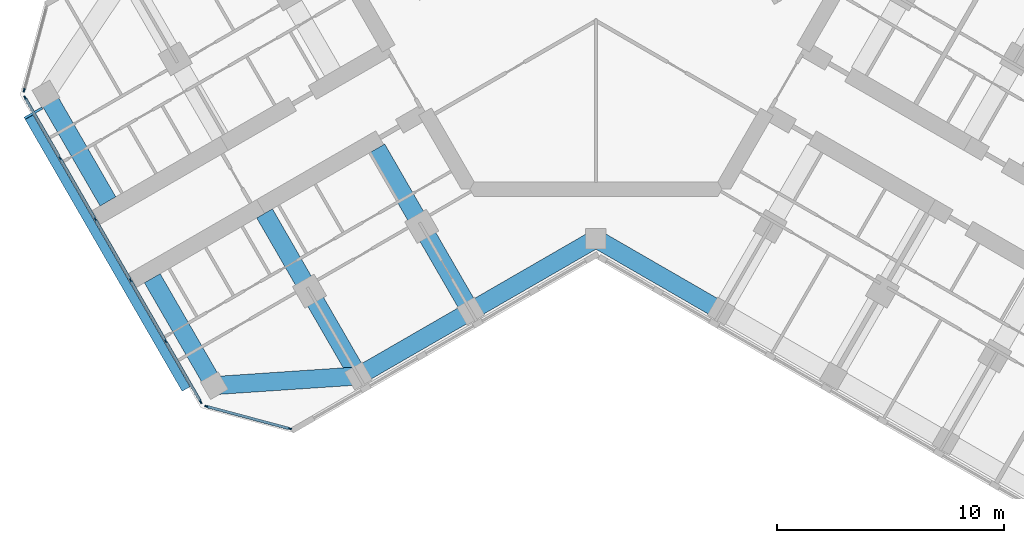
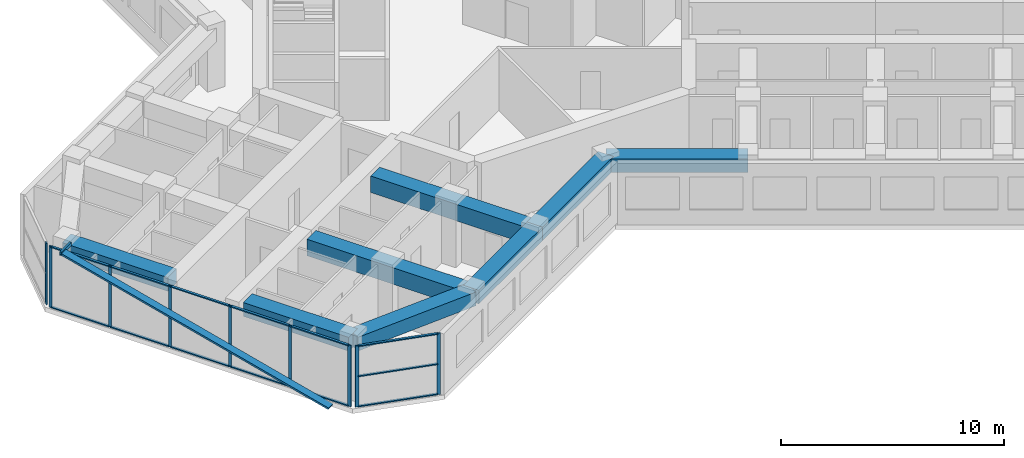
# One storey, part 2 of 16: 24 members, 8 beams, 3 elements without a shape of their own.
"""IFC4 building model written with IfcOpenShell, lengths in metres."""

from ifc_helpers import new_model, si_unit, direction, frame, origin, origin_2d, place, context, subcontext, project, spatial, rectangle, hollow_rectangle, extrude, material, material_profile, profile_set, type_object, element, aggregate, save


model = new_model("IFC4")

# Units and contexts
model_context = context("Model", 3, precision=1e-05, world=origin(), true_north=direction((0.0, 1.0)))
body_context = subcontext(model_context, "Body", "Model", "MODEL_VIEW")
ifc_project = project(units=[si_unit("LENGTHUNIT", "METRE"), si_unit("AREAUNIT", "SQUARE_METRE"), si_unit("VOLUMEUNIT", "CUBIC_METRE"), si_unit("PLANEANGLEUNIT", "RADIAN"), si_unit("MASSUNIT", "GRAM", prefix="KILO")], contexts=[model_context])

# Site, building, storey
site_placement = place(None, origin())
site = spatial("IfcSite", under=ifc_project, at=site_placement, CompositionType="ELEMENT")
building_placement = place(site_placement, origin())
building = spatial("IfcBuilding", under=site, at=building_placement, Name="Kosmar Iwan School Tower", CompositionType="ELEMENT")
storey_placement = place(building_placement, frame((0.0, 0.0, 204.60009765625)))
storey = spatial("IfcBuildingStorey", under=building, at=storey_placement, Name="L51", CompositionType="ELEMENT", Elevation=204.60009765625)

# Members
ifc_material_1 = material(Name="Black anodised aluminium", Category="aluminium")
ifc_material_profile_1 = material_profile(ifc_material_1, rectangle(XDim=0.10009765625, YDim=0.39990234375, at=origin_2d()), Name="FIN 100x400")
ifc_profile_set_1 = profile_set([ifc_material_profile_1], Name="Black anodised aluminium")
member_type_1 = type_object("IfcMemberType", Name="Diagonal fin 100x400", PredefinedType="USERDEFINED", material=ifc_profile_set_1)
member_1_placement = place(storey_placement, frame((-18.0283203125, -18.3740234375, -0.150146484375), z_axis=(-0.483800388566, 0.837965217343, 0.2524905514), x_axis=(0.126245460598, -0.218663124976, 0.96759935999)))
element("IfcMember", 1, at=member_1_placement, inside=storey, type_object=member_type_1, Name="Diagonal fin L51-F11", ObjectType="FIN", PredefinedType="USERDEFINED", context=body_context, shape_type="SweptSolid", body=[
    extrude(rectangle(XDim=0.10009765625, YDim=0.39990234375, at=origin_2d()), origin(), (0.0, 0.0, 1.0), 14.25830078125),
])
ifc_material_2 = material(Name="Steel S355", Category="steel")
ifc_material_profile_2 = material_profile(ifc_material_2, hollow_rectangle(XDim=0.10009765625, YDim=0.199951171875, WallThickness=0.008056640625, at=origin_2d()), Name="RHS 200x100x8")
ifc_profile_set_2 = profile_set([ifc_material_profile_2], Name="Steel S355")
member_type_2 = type_object("IfcMemberType", Name="Fin bracket RHS 200x100", PredefinedType="USERDEFINED", material=ifc_profile_set_2)
member_2_placement = place(storey_placement, frame((-24.34619140625, -6.031005859375, 3.474853515625), z_axis=(-0.865964261186, -0.500105887137, 0.0), x_axis=(0.500105887137, -0.865964261186, 0.0)))
element("IfcMember", 2, at=member_2_placement, inside=storey, type_object=member_type_2, Name="Fin bracket L52", ObjectType="FIN BRACKET", PredefinedType="USERDEFINED", context=body_context, shape_type="SweptSolid", body=[
    extrude(hollow_rectangle(XDim=0.10009765625, YDim=0.199951171875, WallThickness=0.008056640625, at=origin_2d()), origin(), (0.0, 0.0, 1.0), 0.900146484375),
])

# Curtain wall, member
ifc_material_3 = material(Name="Dark glass in black aluminium frame", Category="aluminium")
curtain_wall_type_1 = type_object("IfcCurtainWallType", Name="Chamfer curtain wall dark glass", PredefinedType="USERDEFINED", material=ifc_material_3)
curtain_wall_1_placement = place(storey_placement, origin())
curtain_wall_1 = element("IfcCurtainWall", 3, at=curtain_wall_1_placement, inside=storey, type_object=curtain_wall_type_1, Name="Curtain wall L51-F10", ObjectType="FACETED CURTAIN WALL", PredefinedType="USERDEFINED")
ifc_material_4 = material(Name="Black anodised aluminium", Category="aluminium")
ifc_material_profile_3 = material_profile(ifc_material_4, rectangle(XDim=0.06005859375, YDim=0.159912109375, at=origin_2d()), Name="MULLION 60x160")
ifc_profile_set_3 = profile_set([ifc_material_profile_3], Name="Black anodised aluminium")
member_type_3 = type_object("IfcMemberType", Name="Mullion 60x160", PredefinedType="MULLION", material=ifc_profile_set_3)
member_3_placement = place(storey_placement, frame((-25.141845703125, -5.24853515625, 0.0), z_axis=(0.0, 0.0, 1.0), x_axis=(0.965925875495, -0.258818861462, 0.0)))
member_3 = element("IfcMember", 4, at=member_3_placement, type_object=member_type_3, Name="CW2 mullion 2", PredefinedType="MULLION", context=body_context, shape_type="SweptSolid", body=[
    extrude(rectangle(XDim=0.06005859375, YDim=0.159912109375, at=origin_2d()), origin(), (0.0, 0.0, 1.0), 3.349853515625),
])
aggregate(curtain_wall_1, [member_3])

# Curtain wall, members
ifc_material_5 = material(Name="Dark glass in black aluminium frame", Category="aluminium")
curtain_wall_type_2 = type_object("IfcCurtainWallType", Name="Tower curtain wall dark glass", PredefinedType="USERDEFINED", material=ifc_material_5)
curtain_wall_2_placement = place(storey_placement, origin())
curtain_wall_2 = element("IfcCurtainWall", 5, at=curtain_wall_2_placement, inside=storey, type_object=curtain_wall_type_2, Name="Curtain wall L51-F11", ObjectType="UNITISED CURTAIN WALL", PredefinedType="USERDEFINED")
member_4_placement = place(storey_placement, frame((-25.098388671875, -5.578369140625, 0.0), z_axis=(0.0, 0.0, 1.0), x_axis=(0.866025405329, 0.499999997325, 0.0)))
member_4 = element("IfcMember", 6, at=member_4_placement, type_object=member_type_3, Name="CW1 mullion 1", PredefinedType="MULLION", context=body_context, shape_type="SweptSolid", body=[
    extrude(rectangle(XDim=0.06005859375, YDim=0.159912109375, at=origin_2d()), origin(), (0.0, 0.0, 1.0), 3.349853515625),
])
member_5_placement = place(storey_placement, frame((-23.563720703125, -8.236328125, 0.0), z_axis=(0.0, 0.0, 1.0), x_axis=(0.866025405329, 0.499999997325, 0.0)))
member_5 = element("IfcMember", 7, at=member_5_placement, type_object=member_type_3, Name="CW1 mullion 2", PredefinedType="MULLION", context=body_context, shape_type="SweptSolid", body=[
    extrude(rectangle(XDim=0.06005859375, YDim=0.159912109375, at=origin_2d()), origin(), (0.0, 0.0, 1.0), 3.349853515625),
])
member_6_placement = place(storey_placement, frame((-22.01416015625, -10.92041015625, 0.0), z_axis=(0.0, 0.0, 1.0), x_axis=(0.866025405329, 0.499999997325, 0.0)))
member_6 = element("IfcMember", 8, at=member_6_placement, type_object=member_type_3, Name="CW1 mullion 3", PredefinedType="MULLION", context=body_context, shape_type="SweptSolid", body=[
    extrude(rectangle(XDim=0.06005859375, YDim=0.159912109375, at=origin_2d()), origin(), (0.0, 0.0, 1.0), 3.349853515625),
])
member_7_placement = place(storey_placement, frame((-20.46435546875, -13.6044921875, 0.0), z_axis=(0.0, 0.0, 1.0), x_axis=(0.866025405329, 0.499999997325, 0.0)))
member_7 = element("IfcMember", 9, at=member_7_placement, type_object=member_type_3, Name="CW1 mullion 4", PredefinedType="MULLION", context=body_context, shape_type="SweptSolid", body=[
    extrude(rectangle(XDim=0.06005859375, YDim=0.159912109375, at=origin_2d()), origin(), (0.0, 0.0, 1.0), 3.349853515625),
])
member_8_placement = place(storey_placement, frame((-18.914794921875, -16.28857421875, 0.0), z_axis=(0.0, 0.0, 1.0), x_axis=(0.866025405329, 0.499999997325, 0.0)))
member_8 = element("IfcMember", 10, at=member_8_placement, type_object=member_type_3, Name="CW1 mullion 5", PredefinedType="MULLION", context=body_context, shape_type="SweptSolid", body=[
    extrude(rectangle(XDim=0.06005859375, YDim=0.159912109375, at=origin_2d()), origin(), (0.0, 0.0, 1.0), 3.349853515625),
])
member_9_placement = place(storey_placement, frame((-17.380126953125, -18.94677734375, 0.0), z_axis=(0.0, 0.0, 1.0), x_axis=(0.866025405329, 0.499999997325, 0.0)))
member_9 = element("IfcMember", 11, at=member_9_placement, type_object=member_type_3, Name="CW1 mullion 6", PredefinedType="MULLION", context=body_context, shape_type="SweptSolid", body=[
    extrude(rectangle(XDim=0.06005859375, YDim=0.159912109375, at=origin_2d()), origin(), (0.0, 0.0, 1.0), 3.349853515625),
])

curtain_wall_3_placement = place(storey_placement, origin())
curtain_wall_3 = element("IfcCurtainWall", 12, at=curtain_wall_3_placement, inside=storey, type_object=curtain_wall_type_1, Name="Curtain wall L51-F12", ObjectType="FACETED CURTAIN WALL", PredefinedType="USERDEFINED")
member_10_placement = place(storey_placement, frame((-17.1162109375, -19.149169921875, 0.0), z_axis=(0.0, 0.0, 1.0), x_axis=(0.258818861462, 0.965925875495, 0.0)))
member_10 = element("IfcMember", 13, at=member_10_placement, type_object=member_type_3, Name="CW2 mullion 1", PredefinedType="MULLION", context=body_context, shape_type="SweptSolid", body=[
    extrude(rectangle(XDim=0.06005859375, YDim=0.159912109375, at=origin_2d()), origin(), (0.0, 0.0, 1.0), 3.349853515625),
])
member_11_placement = place(storey_placement, frame((-13.466064453125, -20.127197265625, 0.0), z_axis=(0.0, 0.0, 1.0), x_axis=(0.258818861462, 0.965925875495, 0.0)))
member_11 = element("IfcMember", 14, at=member_11_placement, type_object=member_type_3, Name="CW2 mullion 2", PredefinedType="MULLION", context=body_context, shape_type="SweptSolid", body=[
    extrude(rectangle(XDim=0.06005859375, YDim=0.159912109375, at=origin_2d()), origin(), (0.0, 0.0, 1.0), 3.349853515625),
])

# Beams
ifc_material_6 = material(Name="Concrete C50/60", Category="concrete")
ifc_material_profile_4 = material_profile(ifc_material_6, rectangle(XDim=0.800048828125, YDim=0.75, at=origin_2d()), Name="RC 800x750")
ifc_profile_set_4 = profile_set([ifc_material_profile_4], Name="Concrete C50/60")
beam_type_1 = type_object("IfcBeamType", Name="RC edge beam 800x750", PredefinedType="BEAM", material=ifc_profile_set_4)
beam_1_placement = place(storey_placement, frame((0.0, -11.77783203125, 2.974853515625), z_axis=(-0.866014293216, -0.500019243575, 0.0), x_axis=(0.500019243575, -0.866014293216, 0.0)))
element("IfcBeam", 15, at=beam_1_placement, inside=storey, type_object=beam_type_1, Name="Edge beam BL1", PredefinedType="BEAM", context=body_context, shape_type="SweptSolid", body=[
    extrude(rectangle(XDim=0.800048828125, YDim=0.75, at=origin_2d()), origin(), (0.0, 0.0, 1.0), 6.361083984375),
])
beam_2_placement = place(storey_placement, frame((-5.5087890625, -14.95849609375, 2.974853515625), z_axis=(-0.866033658841, -0.49998570155, 0.0), x_axis=(0.49998570155, -0.866033658841, 0.0)))
element("IfcBeam", 16, at=beam_2_placement, inside=storey, type_object=beam_type_1, Name="Edge beam BL2", PredefinedType="BEAM", context=body_context, shape_type="SweptSolid", body=[
    extrude(rectangle(XDim=0.800048828125, YDim=0.75, at=origin_2d()), origin(), (0.0, 0.0, 1.0), 5.699951171875),
])
beam_3_placement = place(storey_placement, frame((0.0, -11.77783203125, 2.974853515625), z_axis=(0.866014293216, -0.500019243575, 0.0), x_axis=(0.500019243575, 0.866014293216, 0.0)))
element("IfcBeam", 17, at=beam_3_placement, inside=storey, type_object=beam_type_1, Name="Edge beam CR1", PredefinedType="BEAM", context=body_context, shape_type="SweptSolid", body=[
    extrude(rectangle(XDim=0.800048828125, YDim=0.75, at=origin_2d()), origin(), (0.0, 0.0, 1.0), 6.361083984375),
])
ifc_material_7 = material(Name="Concrete C50/60", Category="concrete")
ifc_material_profile_5 = material_profile(ifc_material_7, rectangle(XDim=0.800048828125, YDim=0.75, at=origin_2d()), Name="RC 800x750")
ifc_profile_set_5 = profile_set([ifc_material_profile_5], Name="Concrete C50/60")
beam_type_2 = type_object("IfcBeamType", Name="RC tip beam 800x750", PredefinedType="BEAM", material=ifc_profile_set_5)
beam_4_placement = place(storey_placement, frame((-10.445068359375, -17.808349609375, 2.974853515625), z_axis=(-0.997755118724, -0.066968074933, 0.0), x_axis=(0.066968074933, -0.997755118724, 0.0)))
element("IfcBeam", 18, at=beam_4_placement, inside=storey, type_object=beam_type_2, Name="Tip beam BL", PredefinedType="BEAM", context=body_context, shape_type="SweptSolid", body=[
    extrude(rectangle(XDim=0.800048828125, YDim=0.75, at=origin_2d()), origin(), (0.0, 0.0, 1.0), 6.3505859375),
])
beam_5_placement = place(storey_placement, frame((-16.781494140625, -18.233642578125, 2.974853515625), z_axis=(-0.500002931134, 0.866023711487, 0.0), x_axis=(-0.866023711487, -0.500002931134, 0.0)))
element("IfcBeam", 19, at=beam_5_placement, inside=storey, type_object=beam_type_2, Name="Tip beam BL to corridor wall", PredefinedType="BEAM", context=body_context, shape_type="SweptSolid", body=[
    extrude(rectangle(XDim=0.800048828125, YDim=0.75, at=origin_2d()), origin(), (0.0, 0.0, 1.0), 5.4501953125),
])
beam_6_placement = place(storey_placement, frame((-24.181396484375, -5.41650390625, 2.974853515625), z_axis=(0.499988730927, -0.866031909889, 0.0), x_axis=(0.866031909889, 0.499988730927, 0.0)))
element("IfcBeam", 20, at=beam_6_placement, inside=storey, type_object=beam_type_2, Name="Tip beam BR to corridor wall", PredefinedType="BEAM", context=body_context, shape_type="SweptSolid", body=[
    extrude(rectangle(XDim=0.800048828125, YDim=0.75, at=origin_2d()), origin(), (0.0, 0.0, 1.0), 5.449951171875),
])
ifc_material_8 = material(Name="Concrete C50/60", Category="concrete")
ifc_material_profile_6 = material_profile(ifc_material_8, rectangle(XDim=0.800048828125, YDim=0.89990234375, at=origin_2d()), Name="RC 800x900")
ifc_profile_set_6 = profile_set([ifc_material_profile_6], Name="Concrete C50/60")
beam_type_3 = type_object("IfcBeamType", Name="RC transverse beam 800x900", PredefinedType="BEAM", material=ifc_profile_set_6)
beam_7_placement = place(storey_placement, frame((-5.5087890625, -14.95849609375, 2.89990234375), z_axis=(-0.499996545922, 0.866027397988, 0.0), x_axis=(-0.866027397988, -0.499996545922, 0.0)))
element("IfcBeam", 21, at=beam_7_placement, inside=storey, type_object=beam_type_3, Name="Transverse beam BL1", PredefinedType="BEAM", context=body_context, shape_type="SweptSolid", body=[
    extrude(rectangle(XDim=0.800048828125, YDim=0.89990234375, at=origin_2d()), origin(), (0.0, 0.0, 1.0), 8.25),
])
beam_8_placement = place(storey_placement, frame((-10.445068359375, -17.808349609375, 2.89990234375), z_axis=(-0.500009360108, 0.866019999656, 0.0), x_axis=(-0.866019999656, -0.500009360108, 0.0)))
element("IfcBeam", 22, at=beam_8_placement, inside=storey, type_object=beam_type_3, Name="Transverse beam BL2", PredefinedType="BEAM", context=body_context, shape_type="SweptSolid", body=[
    extrude(rectangle(XDim=0.800048828125, YDim=0.89990234375, at=origin_2d()), origin(), (0.0, 0.0, 1.0), 8.249755859375),
])

# Member
ifc_material_9 = material(Name="Black anodised aluminium", Category="aluminium")
ifc_material_profile_7 = material_profile(ifc_material_9, rectangle(XDim=0.1201171875, YDim=0.06005859375, at=origin_2d()), Name="TRANSOM 60x120")
ifc_profile_set_7 = profile_set([ifc_material_profile_7], Name="Black anodised aluminium")
member_type_4 = type_object("IfcMemberType", Name="Transom 60x120", PredefinedType="USERDEFINED", material=ifc_profile_set_7)
member_12_placement = place(storey_placement, frame((-25.08349609375, -5.604248046875, 0.02978515625), z_axis=(0.499986971506, -0.866032925658, 0.0), x_axis=(0.866032925658, 0.499986971506, 0.0)))
member_12 = element("IfcMember", 23, at=member_12_placement, type_object=member_type_4, Name="CW1 transom 1.1", ObjectType="TRANSOM", PredefinedType="USERDEFINED", context=body_context, shape_type="SweptSolid", body=[
    extrude(rectangle(XDim=0.1201171875, YDim=0.06005859375, at=origin_2d()), origin(), (0.0, 0.0, 1.0), 3.00927734375),
])

member_13_placement = place(storey_placement, frame((-25.08349609375, -5.604248046875, 3.31982421875), z_axis=(0.499986971506, -0.866032925658, 0.0), x_axis=(0.866032925658, 0.499986971506, 0.0)))
member_13 = element("IfcMember", 24, at=member_13_placement, type_object=member_type_4, Name="CW1 transom 1.2", ObjectType="TRANSOM", PredefinedType="USERDEFINED", context=body_context, shape_type="SweptSolid", body=[
    extrude(rectangle(XDim=0.1201171875, YDim=0.06005859375, at=origin_2d()), origin(), (0.0, 0.0, 1.0), 3.00927734375),
])

member_14_placement = place(storey_placement, frame((-23.548828125, -8.262451171875, 0.02978515625), z_axis=(0.500035348339, -0.866004994449, 0.0), x_axis=(0.866004994449, 0.500035348339, 0.0)))
member_14 = element("IfcMember", 25, at=member_14_placement, type_object=member_type_4, Name="CW1 transom 2.1", ObjectType="TRANSOM", PredefinedType="USERDEFINED", context=body_context, shape_type="SweptSolid", body=[
    extrude(rectangle(XDim=0.1201171875, YDim=0.06005859375, at=origin_2d()), origin(), (0.0, 0.0, 1.0), 3.039306640625),
])

member_15_placement = place(storey_placement, frame((-23.548828125, -8.262451171875, 3.31982421875), z_axis=(0.500035348339, -0.866004994449, 0.0), x_axis=(0.866004994449, 0.500035348339, 0.0)))
member_15 = element("IfcMember", 26, at=member_15_placement, type_object=member_type_4, Name="CW1 transom 2.2", ObjectType="TRANSOM", PredefinedType="USERDEFINED", context=body_context, shape_type="SweptSolid", body=[
    extrude(rectangle(XDim=0.1201171875, YDim=0.06005859375, at=origin_2d()), origin(), (0.0, 0.0, 1.0), 3.039306640625),
])

member_16_placement = place(storey_placement, frame((-21.9990234375, -10.946533203125, 0.02978515625), z_axis=(0.499975102327, -0.866039777986, 0.0), x_axis=(0.866039777986, 0.499975102327, 0.0)))
member_16 = element("IfcMember", 27, at=member_16_placement, type_object=member_type_4, Name="CW1 transom 3.1", ObjectType="TRANSOM", PredefinedType="USERDEFINED", context=body_context, shape_type="SweptSolid", body=[
    extrude(rectangle(XDim=0.1201171875, YDim=0.06005859375, at=origin_2d()), origin(), (0.0, 0.0, 1.0), 3.039306640625),
])

member_17_placement = place(storey_placement, frame((-21.9990234375, -10.946533203125, 3.31982421875), z_axis=(0.499975102327, -0.866039777986, 0.0), x_axis=(0.866039777986, 0.499975102327, 0.0)))
member_17 = element("IfcMember", 28, at=member_17_placement, type_object=member_type_4, Name="CW1 transom 3.2", ObjectType="TRANSOM", PredefinedType="USERDEFINED", context=body_context, shape_type="SweptSolid", body=[
    extrude(rectangle(XDim=0.1201171875, YDim=0.06005859375, at=origin_2d()), origin(), (0.0, 0.0, 1.0), 3.039306640625),
])

member_18_placement = place(storey_placement, frame((-20.449462890625, -13.630615234375, 0.02978515625), z_axis=(0.500035348339, -0.866004994449, 0.0), x_axis=(0.866004994449, 0.500035348339, 0.0)))
member_18 = element("IfcMember", 29, at=member_18_placement, type_object=member_type_4, Name="CW1 transom 4.1", ObjectType="TRANSOM", PredefinedType="USERDEFINED", context=body_context, shape_type="SweptSolid", body=[
    extrude(rectangle(XDim=0.1201171875, YDim=0.06005859375, at=origin_2d()), origin(), (0.0, 0.0, 1.0), 3.039306640625),
])

member_19_placement = place(storey_placement, frame((-20.449462890625, -13.630615234375, 3.31982421875), z_axis=(0.500035348339, -0.866004994449, 0.0), x_axis=(0.866004994449, 0.500035348339, 0.0)))
member_19 = element("IfcMember", 30, at=member_19_placement, type_object=member_type_4, Name="CW1 transom 4.2", ObjectType="TRANSOM", PredefinedType="USERDEFINED", context=body_context, shape_type="SweptSolid", body=[
    extrude(rectangle(XDim=0.1201171875, YDim=0.06005859375, at=origin_2d()), origin(), (0.0, 0.0, 1.0), 3.039306640625),
])

member_20_placement = place(storey_placement, frame((-18.89990234375, -16.314697265625, 0.02978515625), z_axis=(0.500022102064, -0.866012642776, 0.0), x_axis=(0.866012642776, 0.500022102064, 0.0)))
member_20 = element("IfcMember", 31, at=member_20_placement, type_object=member_type_4, Name="CW1 transom 5.1", ObjectType="TRANSOM", PredefinedType="USERDEFINED", context=body_context, shape_type="SweptSolid", body=[
    extrude(rectangle(XDim=0.1201171875, YDim=0.06005859375, at=origin_2d()), origin(), (0.0, 0.0, 1.0), 3.009033203125),
])

member_21_placement = place(storey_placement, frame((-18.89990234375, -16.314697265625, 3.31982421875), z_axis=(0.500022102064, -0.866012642776, 0.0), x_axis=(0.866012642776, 0.500022102064, 0.0)))
member_21 = element("IfcMember", 32, at=member_21_placement, type_object=member_type_4, Name="CW1 transom 5.2", ObjectType="TRANSOM", PredefinedType="USERDEFINED", context=body_context, shape_type="SweptSolid", body=[
    extrude(rectangle(XDim=0.1201171875, YDim=0.06005859375, at=origin_2d()), origin(), (0.0, 0.0, 1.0), 3.009033203125),
])

aggregate(curtain_wall_2, [member_4, member_5, member_6, member_7, member_8, member_9, member_12, member_13, member_14, member_15, member_16, member_17, member_18, member_19, member_20, member_21])

member_22_placement = place(storey_placement, frame((-17.08740234375, -19.156982421875, 0.02978515625), z_axis=(0.965940141052, -0.258765615768, 0.0), x_axis=(0.258765615768, 0.965940141052, 0.0)))
member_22 = element("IfcMember", 33, at=member_22_placement, type_object=member_type_4, Name="CW2 transom 1.1", ObjectType="TRANSOM", PredefinedType="USERDEFINED", context=body_context, shape_type="SweptSolid", body=[
    extrude(rectangle(XDim=0.1201171875, YDim=0.06005859375, at=origin_2d()), origin(), (0.0, 0.0, 1.0), 3.71923828125),
])

member_23_placement = place(storey_placement, frame((-17.08740234375, -19.156982421875, 1.6748046875), z_axis=(0.965940141052, -0.258765615768, 0.0), x_axis=(0.258765615768, 0.965940141052, 0.0)))
member_23 = element("IfcMember", 34, at=member_23_placement, type_object=member_type_4, Name="CW2 transom 1.2", ObjectType="TRANSOM", PredefinedType="USERDEFINED", context=body_context, shape_type="SweptSolid", body=[
    extrude(rectangle(XDim=0.1201171875, YDim=0.06005859375, at=origin_2d()), origin(), (0.0, 0.0, 1.0), 3.71923828125),
])

member_24_placement = place(storey_placement, frame((-17.08740234375, -19.156982421875, 3.31982421875), z_axis=(0.965940141052, -0.258765615768, 0.0), x_axis=(0.258765615768, 0.965940141052, 0.0)))
member_24 = element("IfcMember", 35, at=member_24_placement, type_object=member_type_4, Name="CW2 transom 1.3", ObjectType="TRANSOM", PredefinedType="USERDEFINED", context=body_context, shape_type="SweptSolid", body=[
    extrude(rectangle(XDim=0.1201171875, YDim=0.06005859375, at=origin_2d()), origin(), (0.0, 0.0, 1.0), 3.71923828125),
])

aggregate(curtain_wall_3, [member_10, member_11, member_22, member_23, member_24])

save(model, "model.ifc")
